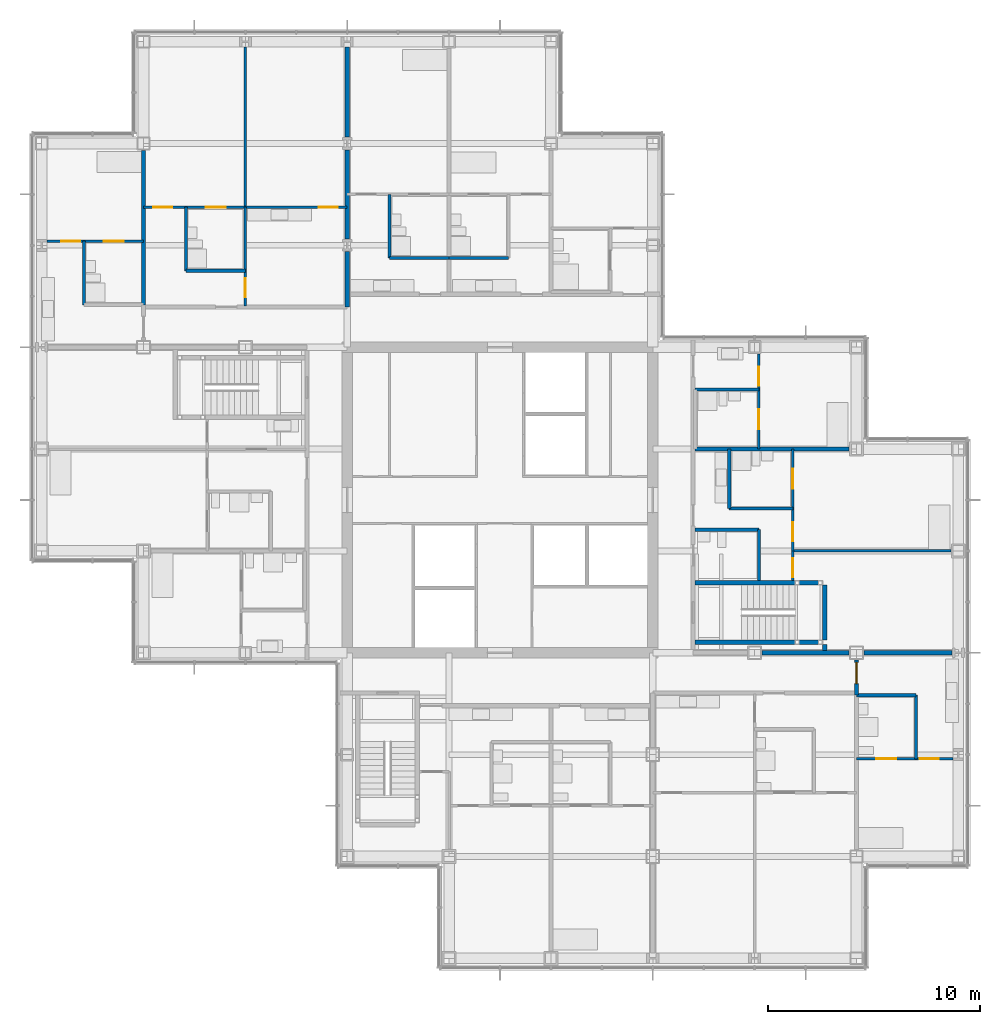
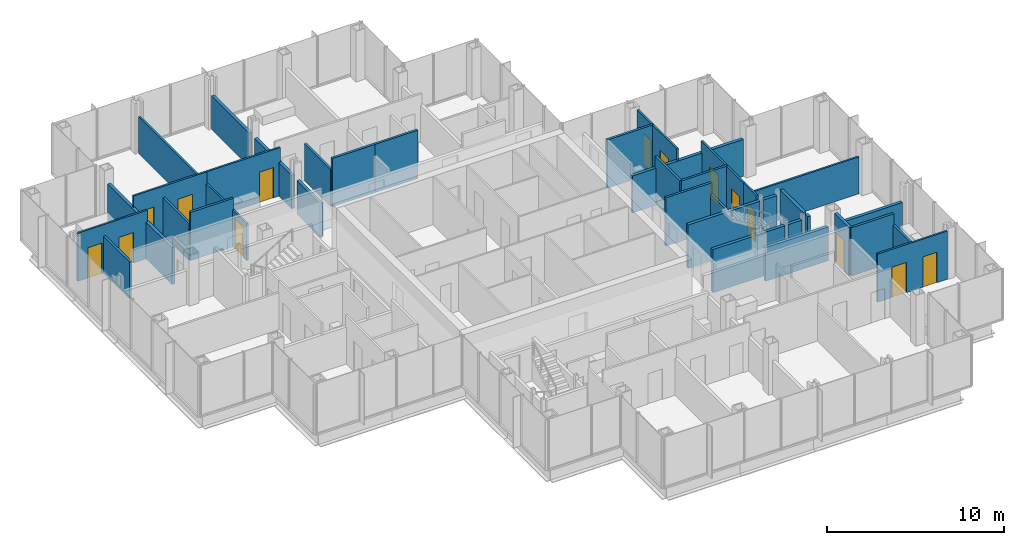
# One storey, part 16 of 20: 37 walls, 14 doors, 14 openings.
"""IFC4 building model written with IfcOpenShell, lengths in metres."""

from ifc_helpers import new_model, si_unit, direction, frame, frame_2d, origin, place, context, subcontext, project, spatial, rectangle, extrude, material, layer, layer_set, type_object, element, fill, save


model = new_model("IFC4")

# Units and contexts
model_context = context("Model", 3, precision=1e-05, world=origin(), true_north=direction((0.0, 1.0)))
body_context = subcontext(model_context, "Body", "Model", "MODEL_VIEW")
ifc_project = project(units=[si_unit("LENGTHUNIT", "METRE"), si_unit("AREAUNIT", "SQUARE_METRE"), si_unit("VOLUMEUNIT", "CUBIC_METRE"), si_unit("PLANEANGLEUNIT", "RADIAN"), si_unit("MASSUNIT", "GRAM", prefix="KILO")], contexts=[model_context])

# Site, building, storey
site_placement = place(None, origin())
site = spatial("IfcSite", under=ifc_project, at=site_placement, CompositionType="ELEMENT")
building_placement = place(site_placement, origin())
building = spatial("IfcBuilding", under=site, at=building_placement, Name="Kvirike Care Tower", CompositionType="ELEMENT")
storey_placement = place(building_placement, frame((0.0, 0.0, 101.5)))
storey = spatial("IfcBuildingStorey", under=building, at=storey_placement, Name="L27", CompositionType="ELEMENT", Elevation=101.5)

# Walls
ifc_material_1 = material(Name="Moisture-resistant board partition", Category="gypsum")
ifc_layer_1 = layer(ifc_material_1, 0.14990234375)
ifc_layer_set_1 = layer_set([ifc_layer_1], Name="BATHROOM WALL 150")
wall_type_1 = type_object("IfcWallType", Name="BATHROOM WALL 150", PredefinedType="PARTITIONING", material=ifc_layer_set_1)
wall_1_placement = place(storey_placement, frame((6.800048828125, 49.800048828125, 0.0), z_axis=(0.0, 0.0, 1.0), x_axis=(0.0, -1.0, 0.0)))
element("IfcWall", 1, at=wall_1_placement, inside=storey, type_object=wall_type_1, Name="Bathroom Wall 150 L27", PredefinedType="PARTITIONING", context=body_context, shape_type="SweptSolid", body=[
    extrude(rectangle(XDim=3.0, YDim=0.14990234375, at=frame_2d((1.5, 0.0))), origin(), (0.0, 0.0, 1.0), 2.550048828125),
])
wall_2_placement = place(storey_placement, frame((9.60009765625, 46.800048828125, 0.0), z_axis=(0.0, 0.0, 1.0), x_axis=(-1.0, 0.0, 0.0)))
element("IfcWall", 2, at=wall_2_placement, inside=storey, type_object=wall_type_1, Name="Bathroom Wall 150 L27", PredefinedType="PARTITIONING", context=body_context, shape_type="SweptSolid", body=[
    extrude(rectangle(XDim=2.800048828125, YDim=0.14990234375, at=frame_2d((1.39990234375, 0.0))), origin(), (0.0, 0.0, 1.0), 3.330078125),
])
wall_3_placement = place(storey_placement, frame((2.0, 48.199951171875, 0.0), z_axis=(0.0, 0.0, 1.0), x_axis=(0.0, -1.0, 0.0)))
element("IfcWall", 3, at=wall_3_placement, inside=storey, type_object=wall_type_1, Name="Bathroom Wall 150 L27", PredefinedType="PARTITIONING", context=body_context, shape_type="SweptSolid", body=[
    extrude(rectangle(XDim=3.0, YDim=0.14990234375, at=frame_2d((1.5, 0.0))), origin(), (0.0, 0.0, 1.0), 2.550048828125),
])
wall_4_placement = place(storey_placement, frame((22.0, 47.39990234375, 0.0), z_axis=(0.0, 0.0, 1.0), x_axis=(-1.0, 0.0, 0.0)))
element("IfcWall", 4, at=wall_4_placement, inside=storey, type_object=wall_type_1, Name="Bathroom Wall 150 L27", PredefinedType="PARTITIONING", context=body_context, shape_type="SweptSolid", body=[
    extrude(rectangle(XDim=2.800048828125, YDim=0.14990234375, at=frame_2d((1.39990234375, 0.0))), origin(), (0.0, 0.0, 1.0), 3.330078125),
])
wall_5_placement = place(storey_placement, frame((16.39990234375, 50.39990234375, 0.0), z_axis=(0.0, 0.0, 1.0), x_axis=(0.0, -1.0, 0.0)))
element("IfcWall", 5, at=wall_5_placement, inside=storey, type_object=wall_type_1, Name="Bathroom Wall 150 L27", PredefinedType="PARTITIONING", context=body_context, shape_type="SweptSolid", body=[
    extrude(rectangle(XDim=3.0, YDim=0.14990234375, at=frame_2d((1.5, 0.0))), origin(), (0.0, 0.0, 1.0), 2.550048828125),
])
wall_6_placement = place(storey_placement, frame((19.199951171875, 47.39990234375, 0.0), z_axis=(0.0, 0.0, 1.0), x_axis=(-1.0, 0.0, 0.0)))
element("IfcWall", 6, at=wall_6_placement, inside=storey, type_object=wall_type_1, Name="Bathroom Wall 150 L27", PredefinedType="PARTITIONING", context=body_context, shape_type="SweptSolid", body=[
    extrude(rectangle(XDim=2.800048828125, YDim=0.14990234375, at=frame_2d((1.39990234375, 0.0))), origin(), (0.0, 0.0, 1.0), 3.330078125),
])
wall_7_placement = place(storey_placement, frame((41.199951171875, 23.800048828125, 0.0), z_axis=(0.0, 0.0, 1.0), x_axis=(0.0, 1.0, 0.0)))
element("IfcWall", 7, at=wall_7_placement, inside=storey, type_object=wall_type_1, Name="Bathroom Wall 150 L27", PredefinedType="PARTITIONING", context=body_context, shape_type="SweptSolid", body=[
    extrude(rectangle(XDim=3.0, YDim=0.14990234375, at=frame_2d((1.5, 0.0))), origin(), (0.0, 0.0, 1.0), 2.550048828125),
])
wall_8_placement = place(storey_placement, frame((38.39990234375, 26.800048828125, 0.0), z_axis=(0.0, 0.0, 1.0), x_axis=(1.0, 0.0, 0.0)))
element("IfcWall", 8, at=wall_8_placement, inside=storey, type_object=wall_type_1, Name="Bathroom Wall 150 L27", PredefinedType="PARTITIONING", context=body_context, shape_type="SweptSolid", body=[
    extrude(rectangle(XDim=2.800048828125, YDim=0.14990234375, at=frame_2d((1.39990234375, 0.0))), origin(), (0.0, 0.0, 1.0), 3.330078125),
])
wall_9_placement = place(storey_placement, frame((33.800048828125, 32.199951171875, 0.0), z_axis=(0.0, 0.0, 1.0), x_axis=(0.0, 1.0, 0.0)))
element("IfcWall", 9, at=wall_9_placement, inside=storey, type_object=wall_type_1, Name="Bathroom Wall 150 L27", PredefinedType="PARTITIONING", context=body_context, shape_type="SweptSolid", body=[
    extrude(rectangle(XDim=2.400146484375, YDim=0.14990234375, at=frame_2d((1.2001953125, 0.0))), origin(), (0.0, 0.0, 1.0), 2.550048828125),
])
for number, where, z_axis, x_axis, name in (
    (10, (33.800048828125, 34.60009765625, 0.0), (0.0, 0.0, 1.0), (-1.0, 0.0, 0.0), "Bathroom Wall 150 L27"),
    (11, (35.39990234375, 35.60009765625, 0.0), (0.0, 0.0, 1.0), (-1.0, 0.0, 0.0), "Bathroom Wall 150 L27"),
):
    element("IfcWall", number, at=place(storey_placement, frame(where, z_axis=z_axis, x_axis=x_axis)), inside=storey, type_object=wall_type_1, Name=name, PredefinedType="PARTITIONING", context=body_context, shape_type="SweptSolid", body=[
        extrude(rectangle(XDim=3.0, YDim=0.14990234375, at=frame_2d((1.5, 0.0))), origin(), (0.0, 0.0, 1.0), 3.330078125),
    ])
wall_10_placement = place(storey_placement, frame((32.39990234375, 35.60009765625, 0.0), z_axis=(0.0, 0.0, 1.0), x_axis=(0.0, 1.0, 0.0)))
element("IfcWall", 12, at=wall_10_placement, inside=storey, type_object=wall_type_1, Name="Bathroom Wall 150 L27", PredefinedType="PARTITIONING", context=body_context, shape_type="SweptSolid", body=[
    extrude(rectangle(XDim=2.7998046875, YDim=0.14990234375, at=frame_2d((1.39990234375, 0.0))), origin(), (0.0, 0.0, 1.0), 3.330078125),
])
wall_11_placement = place(storey_placement, frame((33.800048828125, 41.199951171875, 0.0), z_axis=(0.0, 0.0, 1.0), x_axis=(-1.0, 0.0, 0.0)))
element("IfcWall", 13, at=wall_11_placement, inside=storey, type_object=wall_type_1, Name="Bathroom Wall 150 L27", PredefinedType="PARTITIONING", context=body_context, shape_type="SweptSolid", body=[
    extrude(rectangle(XDim=3.0, YDim=0.14990234375, at=frame_2d((1.5, 0.0))), origin(), (0.0, 0.0, 1.0), 3.330078125),
])

# Wall, opening, door
ifc_material_2 = material(Name="Plasterboard corridor wall", Category="gypsum")
ifc_layer_2 = layer(ifc_material_2, 0.199951171875)
ifc_layer_set_2 = layer_set([ifc_layer_2], Name="CORRIDOR WALL 200")
wall_type_2 = type_object("IfcWallType", Name="CORRIDOR WALL 200", PredefinedType="PARTITIONING", material=ifc_layer_set_2)
wall_12_placement = place(storey_placement, frame((38.39990234375, 26.800048828125, 0.0), z_axis=(0.0, 0.0, 1.0), x_axis=(0.0, 1.0, 0.0)))
wall_12 = element("IfcWall", 14, at=wall_12_placement, inside=storey, type_object=wall_type_2, Name="Corridor Wall 200 L27", PredefinedType="PARTITIONING", context=body_context, shape_type="SweptSolid", body=[
    extrude(rectangle(XDim=1.655029296875, YDim=0.199951171875, at=frame_2d((0.82763671875, 0.0))), origin(), (0.0, 0.0, 1.0), 3.330078125),
])
opening_1_placement = place(wall_12_placement, frame((0.550048828125, 0.0, 0.0)))
opening_1 = element("IfcOpeningElement", 15, at=opening_1_placement, cuts=wall_12, Name="Opening 27-042", PredefinedType="OPENING", context=body_context, shape_type="SweptSolid", body=[
    extrude(rectangle(XDim=1.0, YDim=2.10009765625, at=frame_2d((0.5, 1.050048828125))), frame((0.0, 0.110595703125, 0.0), z_axis=(0.0, -1.0, 0.0), x_axis=(1.0, 0.0, 0.0)), (0.0, 0.0, 1.0), 0.220947265625),
])
ifc_material_3 = material(Name="Timber door set", Category="wood")
door_type_1 = type_object("IfcDoorType", Name="FLAT ENTRANCE DOOR 1000", OperationType="SINGLE_SWING_LEFT", PredefinedType="DOOR", material=ifc_material_3)
door_1_placement = place(opening_1_placement, frame((1.0, 0.0, 0.0), z_axis=(0.0, 0.0, 1.0), x_axis=(-1.0, 0.0, 0.0)))
door_1 = element("IfcDoor", 16, at=door_1_placement, inside=storey, type_object=door_type_1, Name="Assisted living suite entrance", OperationType="SINGLE_SWING_RIGHT", OverallHeight=2.10009765625, OverallWidth=1.0, PredefinedType="DOOR", context=body_context, shape_type="SweptSolid", body=[
    extrude(rectangle(XDim=1.0, YDim=2.10009765625, at=frame_2d((0.5, 1.050048828125))), frame((0.0, 0.02685546875, 0.0), z_axis=(0.0, -1.0, 0.0), x_axis=(1.0, 0.0, 0.0)), (0.0, 0.0, 1.0), 0.053955078125),
])
fill(opening_1, door_1)

ifc_material_4 = material(Name="Plasterboard partition", Category="gypsum")
ifc_layer_3 = layer(ifc_material_4, 0.1201171875)
ifc_layer_set_3 = layer_set([ifc_layer_3], Name="PARTITION 120")
wall_type_3 = type_object("IfcWallType", Name="PARTITION 120", PredefinedType="PARTITIONING", material=ifc_layer_set_3)
wall_13_placement = place(storey_placement, frame((9.60009765625, 49.800048828125, 0.0), z_axis=(0.0, 0.0, 1.0), x_axis=(0.0, -1.0, 0.0)))
wall_13 = element("IfcWall", 17, at=wall_13_placement, inside=storey, type_object=wall_type_3, Name="Partition 120 L27", PredefinedType="PARTITIONING", context=body_context, shape_type="SweptSolid", body=[
    extrude(rectangle(XDim=4.650146484375, YDim=0.1201171875, at=frame_2d((2.3251953125, 0.0))), origin(), (0.0, 0.0, 1.0), 2.550048828125),
])
opening_2_placement = place(wall_13_placement, frame((3.35009765625, 0.0, 0.0)))
opening_2 = element("IfcOpeningElement", 18, at=opening_2_placement, cuts=wall_13, Name="Opening 27-010", PredefinedType="OPENING", context=body_context, shape_type="SweptSolid", body=[
    extrude(rectangle(XDim=0.89990234375, YDim=2.10009765625, at=frame_2d((0.449951171875, 1.050048828125))), frame((0.0, 0.070556640625, 0.0), z_axis=(0.0, -1.0, 0.0), x_axis=(1.0, 0.0, 0.0)), (0.0, 0.0, 1.0), 0.14111328125),
])
ifc_material_5 = material(Name="Timber door set", Category="wood")
door_type_2 = type_object("IfcDoorType", Name="INTERNAL DOOR 900", OperationType="SINGLE_SWING_LEFT", PredefinedType="DOOR", material=ifc_material_5)
door_2_placement = place(opening_2_placement, origin())
door_2 = element("IfcDoor", 19, at=door_2_placement, inside=storey, type_object=door_type_2, Name="Hall door", OperationType="SINGLE_SWING_LEFT", OverallHeight=2.10009765625, OverallWidth=0.89990234375, PredefinedType="DOOR", context=body_context, shape_type="SweptSolid", body=[
    extrude(rectangle(XDim=0.89990234375, YDim=2.10009765625, at=frame_2d((0.449951171875, 1.050048828125))), frame((0.0, 0.02197265625, 0.0), z_axis=(0.0, -1.0, 0.0), x_axis=(1.0, 0.0, 0.0)), (0.0, 0.0, 1.0), 0.0439453125),
])
fill(opening_2, door_2)

wall_14_placement = place(storey_placement, frame((14.39990234375, 49.800048828125, 0.0), z_axis=(0.0, 0.0, 1.0), x_axis=(-1.0, 0.0, 0.0)))
wall_14 = element("IfcWall", 20, at=wall_14_placement, inside=storey, type_object=wall_type_3, Name="Partition 120 L27", PredefinedType="PARTITIONING", context=body_context, shape_type="SweptSolid", body=[
    extrude(rectangle(XDim=4.7998046875, YDim=0.1201171875, at=frame_2d((2.39990234375, 0.0))), origin(), (0.0, 0.0, 1.0), 3.330078125),
])
opening_3_placement = place(wall_14_placement, frame((0.449951171875, 0.0, 0.0)))
opening_3 = element("IfcOpeningElement", 21, at=opening_3_placement, cuts=wall_14, Name="Opening 27-011", PredefinedType="OPENING", context=body_context, shape_type="SweptSolid", body=[
    extrude(rectangle(XDim=0.89990234375, YDim=2.10009765625, at=frame_2d((0.449951171875, 1.050048828125))), frame((0.0, 0.070556640625, 0.0), z_axis=(0.0, -1.0, 0.0), x_axis=(1.0, 0.0, 0.0)), (0.0, 0.0, 1.0), 0.14111328125),
])
door_3_placement = place(opening_3_placement, origin())
door_3 = element("IfcDoor", 22, at=door_3_placement, inside=storey, type_object=door_type_2, Name="Suite sitting room door", OperationType="SINGLE_SWING_RIGHT", OverallHeight=2.10009765625, OverallWidth=0.89990234375, PredefinedType="DOOR", context=body_context, shape_type="SweptSolid", body=[
    extrude(rectangle(XDim=0.89990234375, YDim=2.10009765625, at=frame_2d((0.449951171875, 1.050048828125))), frame((0.0, 0.02197265625, 0.0), z_axis=(0.0, -1.0, 0.0), x_axis=(1.0, 0.0, 0.0)), (0.0, 0.0, 1.0), 0.0439453125),
])
fill(opening_3, door_3)

# Wall, openings, doors
wall_15_placement = place(storey_placement, frame((9.60009765625, 49.800048828125, 0.0), z_axis=(0.0, 0.0, 1.0), x_axis=(-1.0, 0.0, 0.0)))
wall_15 = element("IfcWall", 23, at=wall_15_placement, inside=storey, type_object=wall_type_3, Name="Partition 120 L27", PredefinedType="PARTITIONING", context=body_context, shape_type="SweptSolid", body=[
    extrude(rectangle(XDim=4.800048828125, YDim=0.1201171875, at=frame_2d((2.39990234375, 0.0))), origin(), (0.0, 0.0, 1.0), 3.330078125),
])
opening_4_placement = place(wall_15_placement, frame((3.449951171875, 0.0, 0.0)))
opening_4 = element("IfcOpeningElement", 24, at=opening_4_placement, cuts=wall_15, Name="Opening 27-012", PredefinedType="OPENING", context=body_context, shape_type="SweptSolid", body=[
    extrude(rectangle(XDim=0.89990234375, YDim=2.10009765625, at=frame_2d((0.449951171875, 1.050048828125))), frame((0.0, 0.070556640625, 0.0), z_axis=(0.0, -1.0, 0.0), x_axis=(1.0, 0.0, 0.0)), (0.0, 0.0, 1.0), 0.14111328125),
])
opening_5_placement = place(wall_15_placement, frame((0.925048828125, 0.0, 0.0)))
opening_5 = element("IfcOpeningElement", 25, at=opening_5_placement, cuts=wall_15, Name="Opening 27-013", PredefinedType="OPENING", context=body_context, shape_type="SweptSolid", body=[
    extrude(rectangle(XDim=0.949951171875, YDim=2.10009765625, at=frame_2d((0.47509765625, 1.050048828125))), frame((0.0, 0.070556640625, 0.0), z_axis=(0.0, -1.0, 0.0), x_axis=(1.0, 0.0, 0.0)), (0.0, 0.0, 1.0), 0.14111328125),
])
ifc_material_6 = material(Name="Timber door set", Category="wood")
door_type_3 = type_object("IfcDoorType", Name="EN-SUITE SLIDING DOOR 950", OperationType="SLIDING_TO_LEFT", PredefinedType="DOOR", material=ifc_material_6)
door_4_placement = place(opening_5_placement, origin())
door_4 = element("IfcDoor", 26, at=door_4_placement, inside=storey, type_object=door_type_3, Name="En-suite door", OperationType="SLIDING_TO_LEFT", OverallHeight=2.10009765625, OverallWidth=0.949951171875, PredefinedType="DOOR", context=body_context, shape_type="SweptSolid", body=[
    extrude(rectangle(XDim=0.949951171875, YDim=2.10009765625, at=frame_2d((0.47509765625, 1.050048828125))), frame((0.0, 0.02197265625, 0.0), z_axis=(0.0, -1.0, 0.0), x_axis=(1.0, 0.0, 0.0)), (0.0, 0.0, 1.0), 0.0439453125),
])
fill(opening_5, door_4)
door_5_placement = place(opening_4_placement, origin())
door_5 = element("IfcDoor", 27, at=door_5_placement, inside=storey, type_object=door_type_2, Name="Accessible assisted living suite door", OperationType="SINGLE_SWING_LEFT", OverallHeight=2.10009765625, OverallWidth=0.89990234375, PredefinedType="DOOR", context=body_context, shape_type="SweptSolid", body=[
    extrude(rectangle(XDim=0.89990234375, YDim=2.10009765625, at=frame_2d((0.449951171875, 1.050048828125))), frame((0.0, 0.02197265625, 0.0), z_axis=(0.0, -1.0, 0.0), x_axis=(1.0, 0.0, 0.0)), (0.0, 0.0, 1.0), 0.0439453125),
])
fill(opening_4, door_5)

# Wall
wall_16_placement = place(storey_placement, frame((9.60009765625, 57.35302734375, 0.0), z_axis=(0.0, 0.0, 1.0), x_axis=(0.0, -1.0, 0.0)))
element("IfcWall", 28, at=wall_16_placement, inside=storey, type_object=wall_type_3, Name="Partition 120 L27", PredefinedType="PARTITIONING", context=body_context, shape_type="SweptSolid", body=[
    extrude(rectangle(XDim=7.552978515625, YDim=0.1201171875, at=frame_2d((3.7763671875, 0.0))), origin(), (0.0, 0.0, 1.0), 2.550048828125),
])

# Wall, openings, doors
wall_17_placement = place(storey_placement, frame((4.800048828125, 48.199951171875, 0.0), z_axis=(0.0, 0.0, 1.0), x_axis=(-1.0, 0.0, 0.0)))
wall_17 = element("IfcWall", 29, at=wall_17_placement, inside=storey, type_object=wall_type_3, Name="Partition 120 L27", PredefinedType="PARTITIONING", context=body_context, shape_type="SweptSolid", body=[
    extrude(rectangle(XDim=4.552978515625, YDim=0.1201171875, at=frame_2d((2.2763671875, 0.0))), origin(), (0.0, 0.0, 1.0), 3.330078125),
])
opening_6_placement = place(wall_17_placement, frame((2.97509765625, 0.0, 0.0)))
opening_6 = element("IfcOpeningElement", 30, at=opening_6_placement, cuts=wall_17, Name="Opening 27-014", PredefinedType="OPENING", context=body_context, shape_type="SweptSolid", body=[
    extrude(rectangle(XDim=0.89990234375, YDim=2.10009765625, at=frame_2d((0.449951171875, 1.050048828125))), frame((0.0, 0.070556640625, 0.0), z_axis=(0.0, -1.0, 0.0), x_axis=(1.0, 0.0, 0.0)), (0.0, 0.0, 1.0), 0.14111328125),
])
opening_7_placement = place(wall_17_placement, frame((0.925048828125, 0.0, 0.0)))
opening_7 = element("IfcOpeningElement", 31, at=opening_7_placement, cuts=wall_17, Name="Opening 27-015", PredefinedType="OPENING", context=body_context, shape_type="SweptSolid", body=[
    extrude(rectangle(XDim=0.949951171875, YDim=2.10009765625, at=frame_2d((0.47509765625, 1.050048828125))), frame((0.0, 0.070556640625, 0.0), z_axis=(0.0, -1.0, 0.0), x_axis=(1.0, 0.0, 0.0)), (0.0, 0.0, 1.0), 0.14111328125),
])
door_6_placement = place(opening_7_placement, origin())
door_6 = element("IfcDoor", 32, at=door_6_placement, inside=storey, type_object=door_type_3, Name="En-suite door", OperationType="SLIDING_TO_RIGHT", OverallHeight=2.10009765625, OverallWidth=0.949951171875, PredefinedType="DOOR", context=body_context, shape_type="SweptSolid", body=[
    extrude(rectangle(XDim=0.949951171875, YDim=2.10009765625, at=frame_2d((0.47509765625, 1.050048828125))), frame((0.0, 0.02197265625, 0.0), z_axis=(0.0, -1.0, 0.0), x_axis=(1.0, 0.0, 0.0)), (0.0, 0.0, 1.0), 0.0439453125),
])
fill(opening_7, door_6)
door_7_placement = place(opening_6_placement, origin())
door_7 = element("IfcDoor", 33, at=door_7_placement, inside=storey, type_object=door_type_2, Name="Assisted living suite door", OperationType="SINGLE_SWING_RIGHT", OverallHeight=2.10009765625, OverallWidth=0.89990234375, PredefinedType="DOOR", context=body_context, shape_type="SweptSolid", body=[
    extrude(rectangle(XDim=0.89990234375, YDim=2.10009765625, at=frame_2d((0.449951171875, 1.050048828125))), frame((0.0, 0.02197265625, 0.0), z_axis=(0.0, -1.0, 0.0), x_axis=(1.0, 0.0, 0.0)), (0.0, 0.0, 1.0), 0.0439453125),
])
fill(opening_6, door_7)

wall_18_placement = place(storey_placement, frame((38.39990234375, 23.800048828125, 0.0), z_axis=(0.0, 0.0, 1.0), x_axis=(1.0, 0.0, 0.0)))
wall_18 = element("IfcWall", 34, at=wall_18_placement, inside=storey, type_object=wall_type_3, Name="Partition 120 L27", PredefinedType="PARTITIONING", context=body_context, shape_type="SweptSolid", body=[
    extrude(rectangle(XDim=4.552978515625, YDim=0.1201171875, at=frame_2d((2.2763671875, 0.0))), origin(), (0.0, 0.0, 1.0), 3.330078125),
])
opening_8_placement = place(wall_18_placement, frame((2.97509765625, 0.0, 0.0)))
opening_8 = element("IfcOpeningElement", 35, at=opening_8_placement, cuts=wall_18, Name="Opening 27-039", PredefinedType="OPENING", context=body_context, shape_type="SweptSolid", body=[
    extrude(rectangle(XDim=0.89990234375, YDim=2.10009765625, at=frame_2d((0.449951171875, 1.050048828125))), frame((0.0, 0.070556640625, 0.0), z_axis=(0.0, -1.0, 0.0), x_axis=(1.0, 0.0, 0.0)), (0.0, 0.0, 1.0), 0.14111328125),
])
opening_9_placement = place(wall_18_placement, frame((0.925048828125, 0.0, 0.0)))
opening_9 = element("IfcOpeningElement", 36, at=opening_9_placement, cuts=wall_18, Name="Opening 27-040", PredefinedType="OPENING", context=body_context, shape_type="SweptSolid", body=[
    extrude(rectangle(XDim=0.949951171875, YDim=2.10009765625, at=frame_2d((0.47509765625, 1.050048828125))), frame((0.0, 0.070556640625, 0.0), z_axis=(0.0, -1.0, 0.0), x_axis=(1.0, 0.0, 0.0)), (0.0, 0.0, 1.0), 0.14111328125),
])
door_8_placement = place(opening_9_placement, origin())
door_8 = element("IfcDoor", 37, at=door_8_placement, inside=storey, type_object=door_type_3, Name="En-suite door", OperationType="SLIDING_TO_RIGHT", OverallHeight=2.10009765625, OverallWidth=0.949951171875, PredefinedType="DOOR", context=body_context, shape_type="SweptSolid", body=[
    extrude(rectangle(XDim=0.949951171875, YDim=2.10009765625, at=frame_2d((0.47509765625, 1.050048828125))), frame((0.0, 0.02197265625, 0.0), z_axis=(0.0, -1.0, 0.0), x_axis=(1.0, 0.0, 0.0)), (0.0, 0.0, 1.0), 0.0439453125),
])
fill(opening_9, door_8)
door_9_placement = place(opening_8_placement, origin())
door_9 = element("IfcDoor", 38, at=door_9_placement, inside=storey, type_object=door_type_2, Name="Assisted living suite door", OperationType="SINGLE_SWING_RIGHT", OverallHeight=2.10009765625, OverallWidth=0.89990234375, PredefinedType="DOOR", context=body_context, shape_type="SweptSolid", body=[
    extrude(rectangle(XDim=0.89990234375, YDim=2.10009765625, at=frame_2d((0.449951171875, 1.050048828125))), frame((0.0, 0.02197265625, 0.0), z_axis=(0.0, -1.0, 0.0), x_axis=(1.0, 0.0, 0.0)), (0.0, 0.0, 1.0), 0.0439453125),
])
fill(opening_8, door_9)

# Wall, opening, door
wall_19_placement = place(storey_placement, frame((35.39990234375, 32.199951171875, 0.0), z_axis=(0.0, 0.0, 1.0), x_axis=(0.0, 1.0, 0.0)))
wall_19 = element("IfcWall", 39, at=wall_19_placement, inside=storey, type_object=wall_type_3, Name="Partition 120 L27", PredefinedType="PARTITIONING", context=body_context, shape_type="SweptSolid", body=[
    extrude(rectangle(XDim=1.400146484375, YDim=0.1201171875, at=frame_2d((0.7001953125, 0.0))), origin(), (0.0, 0.0, 1.0), 3.330078125),
])
opening_10_placement = place(wall_19_placement, frame((0.14990234375, 0.0, 0.0)))
opening_10 = element("IfcOpeningElement", 40, at=opening_10_placement, cuts=wall_19, Name="Opening 27-043", PredefinedType="OPENING", context=body_context, shape_type="SweptSolid", body=[
    extrude(rectangle(XDim=0.89990234375, YDim=2.10009765625, at=frame_2d((0.449951171875, 1.050048828125))), frame((0.0, 0.070556640625, 0.0), z_axis=(0.0, -1.0, 0.0), x_axis=(1.0, 0.0, 0.0)), (0.0, 0.0, 1.0), 0.14111328125),
])
door_10_placement = place(opening_10_placement, origin())
door_10 = element("IfcDoor", 41, at=door_10_placement, inside=storey, type_object=door_type_2, Name="Suite sitting room door", OperationType="SINGLE_SWING_RIGHT", OverallHeight=2.10009765625, OverallWidth=0.89990234375, PredefinedType="DOOR", context=body_context, shape_type="SweptSolid", body=[
    extrude(rectangle(XDim=0.89990234375, YDim=2.10009765625, at=frame_2d((0.449951171875, 1.050048828125))), frame((0.0, 0.02197265625, 0.0), z_axis=(0.0, -1.0, 0.0), x_axis=(1.0, 0.0, 0.0)), (0.0, 0.0, 1.0), 0.0439453125),
])
fill(opening_10, door_10)

# Wall, openings, doors
wall_20_placement = place(storey_placement, frame((35.39990234375, 33.60009765625, 0.0), z_axis=(0.0, 0.0, 1.0), x_axis=(0.0, 1.0, 0.0)))
wall_20 = element("IfcWall", 42, at=wall_20_placement, inside=storey, type_object=wall_type_3, Name="Partition 120 L27", PredefinedType="PARTITIONING", context=body_context, shape_type="SweptSolid", body=[
    extrude(rectangle(XDim=4.7998046875, YDim=0.1201171875, at=frame_2d((2.39990234375, 0.0))), origin(), (0.0, 0.0, 1.0), 3.330078125),
])
opening_11_placement = place(wall_20_placement, frame((0.449951171875, 0.0, 0.0)))
opening_11 = element("IfcOpeningElement", 43, at=opening_11_placement, cuts=wall_20, Name="Opening 27-044", PredefinedType="OPENING", context=body_context, shape_type="SweptSolid", body=[
    extrude(rectangle(XDim=0.89990234375, YDim=2.10009765625, at=frame_2d((0.449951171875, 1.050048828125))), frame((0.0, 0.070556640625, 0.0), z_axis=(0.0, -1.0, 0.0), x_axis=(1.0, 0.0, 0.0)), (0.0, 0.0, 1.0), 0.14111328125),
])
opening_12_placement = place(wall_20_placement, frame((2.925048828125, 0.0, 0.0)))
opening_12 = element("IfcOpeningElement", 44, at=opening_12_placement, cuts=wall_20, Name="Opening 27-045", PredefinedType="OPENING", context=body_context, shape_type="SweptSolid", body=[
    extrude(rectangle(XDim=0.949951171875, YDim=2.10009765625, at=frame_2d((0.47509765625, 1.050048828125))), frame((0.0, 0.070556640625, 0.0), z_axis=(0.0, -1.0, 0.0), x_axis=(1.0, 0.0, 0.0)), (0.0, 0.0, 1.0), 0.14111328125),
])
door_11_placement = place(opening_12_placement, origin())
door_11 = element("IfcDoor", 45, at=door_11_placement, inside=storey, type_object=door_type_3, Name="En-suite door", OperationType="SLIDING_TO_RIGHT", OverallHeight=2.10009765625, OverallWidth=0.949951171875, PredefinedType="DOOR", context=body_context, shape_type="SweptSolid", body=[
    extrude(rectangle(XDim=0.949951171875, YDim=2.10009765625, at=frame_2d((0.47509765625, 1.050048828125))), frame((0.0, 0.02197265625, 0.0), z_axis=(0.0, -1.0, 0.0), x_axis=(1.0, 0.0, 0.0)), (0.0, 0.0, 1.0), 0.0439453125),
])
fill(opening_12, door_11)
door_12_placement = place(opening_11_placement, origin())
door_12 = element("IfcDoor", 46, at=door_12_placement, inside=storey, type_object=door_type_2, Name="Assisted living suite door", OperationType="SINGLE_SWING_LEFT", OverallHeight=2.10009765625, OverallWidth=0.89990234375, PredefinedType="DOOR", context=body_context, shape_type="SweptSolid", body=[
    extrude(rectangle(XDim=0.89990234375, YDim=2.10009765625, at=frame_2d((0.449951171875, 1.050048828125))), frame((0.0, 0.02197265625, 0.0), z_axis=(0.0, -1.0, 0.0), x_axis=(1.0, 0.0, 0.0)), (0.0, 0.0, 1.0), 0.0439453125),
])
fill(opening_11, door_12)

# Wall
wall_21_placement = place(storey_placement, frame((42.85498046875, 33.60009765625, 0.0), z_axis=(0.0, 0.0, 1.0), x_axis=(-1.0, 0.0, 0.0)))
element("IfcWall", 47, at=wall_21_placement, inside=storey, type_object=wall_type_3, Name="Partition 120 L27", PredefinedType="PARTITIONING", context=body_context, shape_type="SweptSolid", body=[
    extrude(rectangle(XDim=7.455078125, YDim=0.1201171875, at=frame_2d((3.7275390625, 0.0))), origin(), (0.0, 0.0, 1.0), 2.550048828125),
])

# Wall, openings, doors
wall_22_placement = place(storey_placement, frame((33.800048828125, 38.39990234375, 0.0), z_axis=(0.0, 0.0, 1.0), x_axis=(0.0, 1.0, 0.0)))
wall_22 = element("IfcWall", 48, at=wall_22_placement, inside=storey, type_object=wall_type_3, Name="Partition 120 L27", PredefinedType="PARTITIONING", context=body_context, shape_type="SweptSolid", body=[
    extrude(rectangle(XDim=4.47998046875, YDim=0.1201171875, at=frame_2d((2.239990234375, 0.0))), origin(), (0.0, 0.0, 1.0), 3.330078125),
])
opening_13_placement = place(wall_22_placement, frame((2.97509765625, 0.0, 0.0)))
opening_13 = element("IfcOpeningElement", 49, at=opening_13_placement, cuts=wall_22, Name="Opening 27-046", PredefinedType="OPENING", context=body_context, shape_type="SweptSolid", body=[
    extrude(rectangle(XDim=0.89990234375, YDim=2.10009765625, at=frame_2d((0.449951171875, 1.050048828125))), frame((0.0, 0.070556640625, 0.0), z_axis=(0.0, -1.0, 0.0), x_axis=(1.0, 0.0, 0.0)), (0.0, 0.0, 1.0), 0.14111328125),
])
opening_14_placement = place(wall_22_placement, frame((0.925048828125, 0.0, 0.0)))
opening_14 = element("IfcOpeningElement", 50, at=opening_14_placement, cuts=wall_22, Name="Opening 27-047", PredefinedType="OPENING", context=body_context, shape_type="SweptSolid", body=[
    extrude(rectangle(XDim=0.949951171875, YDim=2.10009765625, at=frame_2d((0.47509765625, 1.050048828125))), frame((0.0, 0.070556640625, 0.0), z_axis=(0.0, -1.0, 0.0), x_axis=(1.0, 0.0, 0.0)), (0.0, 0.0, 1.0), 0.14111328125),
])
door_13_placement = place(opening_14_placement, origin())
door_13 = element("IfcDoor", 51, at=door_13_placement, inside=storey, type_object=door_type_3, Name="En-suite door", OperationType="SLIDING_TO_LEFT", OverallHeight=2.10009765625, OverallWidth=0.949951171875, PredefinedType="DOOR", context=body_context, shape_type="SweptSolid", body=[
    extrude(rectangle(XDim=0.949951171875, YDim=2.10009765625, at=frame_2d((0.47509765625, 1.050048828125))), frame((0.0, 0.02197265625, 0.0), z_axis=(0.0, -1.0, 0.0), x_axis=(1.0, 0.0, 0.0)), (0.0, 0.0, 1.0), 0.0439453125),
])
fill(opening_14, door_13)
door_14_placement = place(opening_13_placement, origin())
door_14 = element("IfcDoor", 52, at=door_14_placement, inside=storey, type_object=door_type_2, Name="Assisted living suite door", OperationType="SINGLE_SWING_RIGHT", OverallHeight=2.10009765625, OverallWidth=0.89990234375, PredefinedType="DOOR", context=body_context, shape_type="SweptSolid", body=[
    extrude(rectangle(XDim=0.89990234375, YDim=2.10009765625, at=frame_2d((0.449951171875, 1.050048828125))), frame((0.0, 0.02197265625, 0.0), z_axis=(0.0, -1.0, 0.0), x_axis=(1.0, 0.0, 0.0)), (0.0, 0.0, 1.0), 0.0439453125),
])
fill(opening_13, door_14)

# Walls
ifc_material_7 = material(Name="Plasterboard party wall", Category="gypsum")
ifc_layer_4 = layer(ifc_material_7, 0.199951171875)
ifc_layer_set_4 = layer_set([ifc_layer_4], Name="PARTY WALL 200")
wall_type_4 = type_object("IfcWallType", Name="PARTY WALL 200", PredefinedType="PARTITIONING", material=ifc_layer_set_4)
wall_23_placement = place(storey_placement, frame((4.800048828125, 52.47998046875, 0.0), z_axis=(0.0, 0.0, 1.0), x_axis=(0.0, -1.0, 0.0)))
element("IfcWall", 53, at=wall_23_placement, inside=storey, type_object=wall_type_4, Name="Party Wall 200 L27", PredefinedType="PARTITIONING", context=body_context, shape_type="SweptSolid", body=[
    extrude(rectangle(XDim=7.280029296875, YDim=0.199951171875, at=frame_2d((3.64013671875, 0.0))), origin(), (0.0, 0.0, 1.0), 2.550048828125),
])
wall_24_placement = place(storey_placement, frame((38.054931640625, 38.39990234375, 0.0), z_axis=(0.0, 0.0, 1.0), x_axis=(-1.0, 0.0, 0.0)))
element("IfcWall", 54, at=wall_24_placement, inside=storey, type_object=wall_type_4, Name="Party Wall 200 L27", PredefinedType="PARTITIONING", context=body_context, shape_type="SweptSolid", body=[
    extrude(rectangle(XDim=7.2548828125, YDim=0.199951171875, at=frame_2d((3.62744140625, 0.0))), origin(), (0.0, 0.0, 1.0), 2.550048828125),
])
wall_25_placement = place(storey_placement, frame((14.39990234375, 45.10009765625, 0.0), z_axis=(0.0, 0.0, 1.0), x_axis=(0.0, 1.0, 0.0)))
element("IfcWall", 55, at=wall_25_placement, inside=storey, type_object=wall_type_4, Name="Party Wall 200 L27", PredefinedType="PARTITIONING", context=body_context, shape_type="SweptSolid", body=[
    extrude(rectangle(XDim=2.60498046875, YDim=0.199951171875, at=frame_2d((1.302490234375, 0.0))), origin(), (0.0, 0.0, 1.0), 2.320068359375),
])
wall_26_placement = place(storey_placement, frame((14.39990234375, 48.294921875, 0.0), z_axis=(0.0, 0.0, 1.0), x_axis=(0.0, 1.0, 0.0)))
element("IfcWall", 56, at=wall_26_placement, inside=storey, type_object=wall_type_4, Name="Party Wall 200 L27", PredefinedType="PARTITIONING", context=body_context, shape_type="SweptSolid", body=[
    extrude(rectangle(XDim=4.2099609375, YDim=0.199951171875, at=frame_2d((2.10498046875, 0.0))), origin(), (0.0, 0.0, 1.0), 2.320068359375),
])
wall_27_placement = place(storey_placement, frame((14.39990234375, 53.094970703125, 0.0), z_axis=(0.0, 0.0, 1.0), x_axis=(0.0, 1.0, 0.0)))
element("IfcWall", 57, at=wall_27_placement, inside=storey, type_object=wall_type_4, Name="Party Wall 200 L27", PredefinedType="PARTITIONING", context=body_context, shape_type="SweptSolid", body=[
    extrude(rectangle(XDim=4.258056640625, YDim=0.199951171875, at=frame_2d((2.12890625, 0.0))), origin(), (0.0, 0.0, 1.0), 2.320068359375),
])
wall_28_placement = place(storey_placement, frame((42.8955078125, 28.800048828125, 0.0), z_axis=(0.0, 0.0, 1.0), x_axis=(-1.0, 0.0, 0.0)))
element("IfcWall", 58, at=wall_28_placement, inside=storey, type_object=wall_type_4, Name="Party Wall 200 L27", PredefinedType="PARTITIONING", context=body_context, shape_type="SweptSolid", body=[
    extrude(rectangle(XDim=4.150390625, YDim=0.199951171875, at=frame_2d((2.0751953125, 0.0))), origin(), (0.0, 0.0, 1.0), 2.320068359375),
])
wall_29_placement = place(storey_placement, frame((38.054931640625, 28.800048828125, 0.0), z_axis=(0.0, 0.0, 1.0), x_axis=(-1.0, 0.0, 0.0)))
element("IfcWall", 59, at=wall_29_placement, inside=storey, type_object=wall_type_4, Name="Party Wall 200 L27", PredefinedType="PARTITIONING", context=body_context, shape_type="SweptSolid", body=[
    extrude(rectangle(XDim=4.10986328125, YDim=0.199951171875, at=frame_2d((2.054931640625, 0.0))), origin(), (0.0, 0.0, 1.0), 2.320068359375),
])
ifc_material_8 = material(Name="Concrete C40/50", Category="concrete")
ifc_layer_5 = layer(ifc_material_8, 0.199951171875)
ifc_layer_set_5 = layer_set([ifc_layer_5], Name="STAIR WALL 200")
wall_type_5 = type_object("IfcWallType", Name="STAIR WALL 200", PredefinedType="SOLIDWALL", material=ifc_layer_set_5)
wall_30_placement = place(storey_placement, frame((36.60009765625, 29.300048828125, 0.0), z_axis=(0.0, 0.0, 1.0), x_axis=(-1.0, 0.0, 0.0)))
element("IfcWall", 60, at=wall_30_placement, inside=storey, type_object=wall_type_5, Name="Stair Wall 200 L27", PredefinedType="SOLIDWALL", context=body_context, shape_type="SweptSolid", body=[
    extrude(rectangle(XDim=0.900146484375, YDim=0.199951171875, at=frame_2d((0.4501953125, 0.0))), origin(), (0.0, 0.0, 1.0), 2.989990234375),
])
wall_31_placement = place(storey_placement, frame((35.5, 29.300048828125, 0.0), z_axis=(0.0, 0.0, 1.0), x_axis=(-1.0, 0.0, 0.0)))
element("IfcWall", 61, at=wall_31_placement, inside=storey, type_object=wall_type_5, Name="Stair Wall 200 L27", PredefinedType="SOLIDWALL", context=body_context, shape_type="SweptSolid", body=[
    extrude(rectangle(XDim=4.699951171875, YDim=0.199951171875, at=frame_2d((2.35009765625, 0.0))), origin(), (0.0, 0.0, 1.0), 2.989990234375),
])
wall_32_placement = place(storey_placement, frame((36.60009765625, 32.10009765625, 0.0), z_axis=(0.0, 0.0, 1.0), x_axis=(-1.0, 0.0, 0.0)))
element("IfcWall", 62, at=wall_32_placement, inside=storey, type_object=wall_type_5, Name="Stair Wall 200 L27", PredefinedType="SOLIDWALL", context=body_context, shape_type="SweptSolid", body=[
    extrude(rectangle(XDim=0.900146484375, YDim=0.199951171875, at=frame_2d((0.4501953125, 0.0))), origin(), (0.0, 0.0, 1.0), 2.989990234375),
])
wall_33_placement = place(storey_placement, frame((35.5, 32.10009765625, 0.0), z_axis=(0.0, 0.0, 1.0), x_axis=(-1.0, 0.0, 0.0)))
element("IfcWall", 63, at=wall_33_placement, inside=storey, type_object=wall_type_5, Name="Stair Wall 200 L27", PredefinedType="SOLIDWALL", context=body_context, shape_type="SweptSolid", body=[
    extrude(rectangle(XDim=4.699951171875, YDim=0.199951171875, at=frame_2d((2.35009765625, 0.0))), origin(), (0.0, 0.0, 1.0), 2.989990234375),
])
wall_34_placement = place(storey_placement, frame((36.89990234375, 28.89990234375, 0.0), z_axis=(0.0, 0.0, 1.0), x_axis=(0.0, 1.0, 0.0)))
element("IfcWall", 64, at=wall_34_placement, inside=storey, type_object=wall_type_5, Name="Stair Wall 200 L27", PredefinedType="SOLIDWALL", context=body_context, shape_type="SweptSolid", body=[
    extrude(rectangle(XDim=0.300048828125, YDim=0.199951171875, at=frame_2d((0.14990234375, 0.0))), origin(), (0.0, 0.0, 1.0), 3.330078125),
])
wall_35_placement = place(storey_placement, frame((36.89990234375, 29.39990234375, 0.0), z_axis=(0.0, 0.0, 1.0), x_axis=(0.0, 1.0, 0.0)))
element("IfcWall", 65, at=wall_35_placement, inside=storey, type_object=wall_type_5, Name="Stair Wall 200 L27", PredefinedType="SOLIDWALL", context=body_context, shape_type="SweptSolid", body=[
    extrude(rectangle(XDim=2.60009765625, YDim=0.199951171875, at=frame_2d((1.300048828125, 0.0))), origin(), (0.0, 0.0, 1.0), 3.330078125),
])

save(model, "model.ifc")
